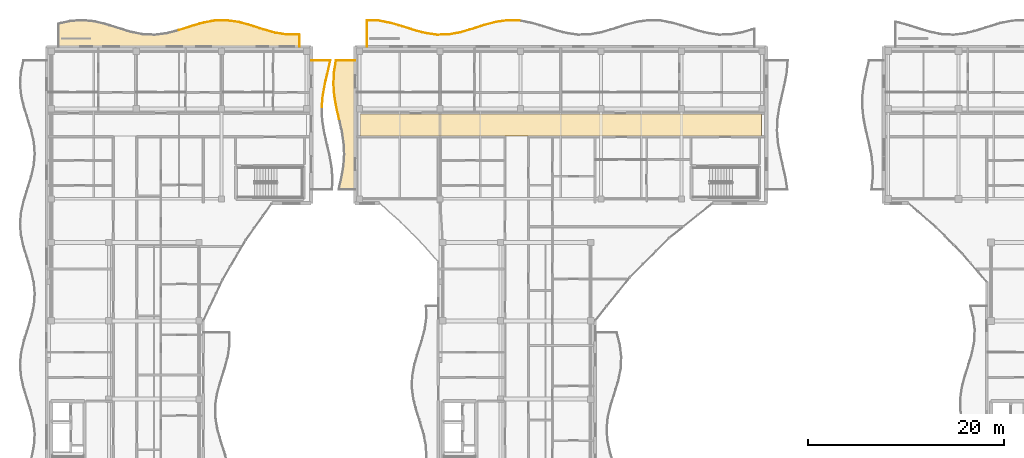
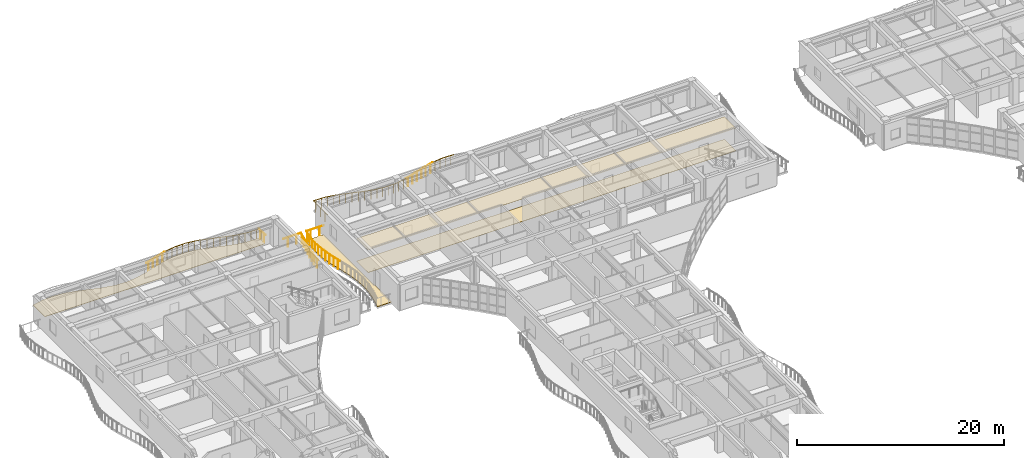
# One storey, part 115 of 128: 36 railings, 4 coverings.
"""IFC4 building model written with IfcOpenShell, lengths in metres."""

from ifc_helpers import new_model, si_unit, direction, frame, origin, origin_2d, place, context, subcontext, project, spatial, polyline, circle, outline, extrude, material, layer, layer_set, type_object, element, save


model = new_model("IFC4")

# Units and contexts
model_context = context("Model", 3, precision=1e-05, world=origin(), true_north=direction((0.0, 1.0)))
body_context = subcontext(model_context, "Body", "Model", "MODEL_VIEW")
ifc_project = project(units=[si_unit("LENGTHUNIT", "METRE"), si_unit("AREAUNIT", "SQUARE_METRE"), si_unit("VOLUMEUNIT", "CUBIC_METRE"), si_unit("PLANEANGLEUNIT", "RADIAN"), si_unit("MASSUNIT", "GRAM", prefix="KILO")], contexts=[model_context])

# Site, building, storey
site_placement = place(None, origin())
site = spatial("IfcSite", under=ifc_project, at=site_placement, CompositionType="ELEMENT")
building_placement = place(site_placement, origin())
building = spatial("IfcBuilding", under=site, at=building_placement, Name="Keldmere Railside Commons", CompositionType="ELEMENT")
storey_placement = place(building_placement, frame((0.0, 0.0, 4.159912109375)))
storey = spatial("IfcBuildingStorey", under=building, at=storey_placement, Name="L01", CompositionType="ELEMENT", Elevation=4.159912109375)

# Railings
ifc_material_1 = material(Name="Steel F-24 (S235)", Category="steel")
railing_type = type_object("IfcRailingType", Name="Balcony & Terrace Steel Balustrade 1100", PredefinedType="BALUSTRADE", material=ifc_material_1)
railing_1_placement = place(storey_placement, frame((21.5, 117.681396484375, 0.0)))
element("IfcRailing", 1, at=railing_1_placement, inside=storey, type_object=railing_type, Name="GR-1 GRD-L01-0018", PredefinedType="BALUSTRADE", context=body_context, shape_type="SweptSolid", body=[
    extrude(circle(Radius=0.02392578125, at=origin_2d()), frame((0.0, 0.0, 1.076171875), z_axis=(0.95193808508, 0.306290519237, 0.0), x_axis=(-0.306290519237, 0.95193808508, 0.0)), (0.0, 0.0, 1.0), 1.2919921875),
    extrude(circle(Radius=0.02099609375, at=origin_2d()), frame((0.3076171875, 0.098876953125, 0.0)), (0.0, 0.0, 1.0), 1.048095703125),
    extrude(circle(Radius=0.02099609375, at=origin_2d()), frame((0.92236328125, 0.296875, 0.0)), (0.0, 0.0, 1.0), 1.048095703125),
])
railing_2_placement = place(storey_placement, frame((22.72998046875, 118.0771484375, 0.0)))
element("IfcRailing", 2, at=railing_2_placement, inside=storey, type_object=railing_type, Name="GR-1 GRD-L01-0019", PredefinedType="BALUSTRADE", context=body_context, shape_type="SweptSolid", body=[
    extrude(circle(Radius=0.02392578125, at=origin_2d()), frame((0.0, 0.0, 1.076171875), z_axis=(0.959713604741, 0.280980064905, 0.0), x_axis=(-0.280980064905, 0.959713604741, 0.0)), (0.0, 0.0, 1.0), 1.281494140625),
    extrude(circle(Radius=0.02099609375, at=origin_2d()), frame((0.3076171875, 0.090087890625, 0.0)), (0.0, 0.0, 1.0), 1.048095703125),
    extrude(circle(Radius=0.02099609375, at=origin_2d()), frame((0.92236328125, 0.27001953125, 0.0)), (0.0, 0.0, 1.0), 1.048095703125),
])
railing_3_placement = place(storey_placement, frame((23.9599609375, 118.437255859375, 0.0)))
element("IfcRailing", 3, at=railing_3_placement, inside=storey, type_object=railing_type, Name="GR-1 GRD-L01-0020", PredefinedType="BALUSTRADE", context=body_context, shape_type="SweptSolid", body=[
    extrude(circle(Radius=0.02392578125, at=origin_2d()), frame((0.0, 0.0, 1.076171875), z_axis=(0.983938584246, 0.178507317587, 0.0), x_axis=(-0.178507317587, 0.983938584246, 0.0)), (0.0, 0.0, 1.0), 1.25),
    extrude(circle(Radius=0.02099609375, at=origin_2d()), frame((0.3076171875, 0.0556640625, 0.0)), (0.0, 0.0, 1.0), 1.048095703125),
    extrude(circle(Radius=0.02099609375, at=origin_2d()), frame((0.92236328125, 0.16748046875, 0.0)), (0.0, 0.0, 1.0), 1.048095703125),
])
railing_4_placement = place(storey_placement, frame((25.18994140625, 118.660400390625, 0.0)))
element("IfcRailing", 4, at=railing_4_placement, inside=storey, type_object=railing_type, Name="GR-1 GRD-L01-0021", PredefinedType="BALUSTRADE", context=body_context, shape_type="SweptSolid", body=[
    extrude(circle(Radius=0.02392578125, at=origin_2d()), frame((0.0, 0.0, 1.076171875), z_axis=(0.999822260035, 0.018853337575, 0.0), x_axis=(-0.018853337575, 0.999822260035, 0.0)), (0.0, 0.0, 1.0), 1.230224609375),
    extrude(circle(Radius=0.02099609375, at=origin_2d()), frame((0.3076171875, 0.005859375, 0.0)), (0.0, 0.0, 1.0), 1.048095703125),
    extrude(circle(Radius=0.02099609375, at=origin_2d()), frame((0.92236328125, 0.017333984375, 0.0)), (0.0, 0.0, 1.0), 1.048095703125),
])
railing_5_placement = place(storey_placement, frame((26.419921875, 118.68359375, 0.0)))
element("IfcRailing", 5, at=railing_5_placement, inside=storey, type_object=railing_type, Name="GR-1 GRD-L01-0022", PredefinedType="BALUSTRADE", context=body_context, shape_type="SweptSolid", body=[
    extrude(circle(Radius=0.02392578125, at=origin_2d()), frame((0.0, 0.0, 1.076171875), z_axis=(0.989099913862, -0.147245918102, 0.0), x_axis=(0.147245918102, 0.989099913862, 0.0)), (0.0, 0.0, 1.0), 1.24365234375),
    extrude(circle(Radius=0.02099609375, at=origin_2d()), frame((0.3076171875, -0.0458984375, 0.0)), (0.0, 0.0, 1.0), 1.048095703125),
    extrude(circle(Radius=0.02099609375, at=origin_2d()), frame((0.92236328125, -0.13720703125, 0.0)), (0.0, 0.0, 1.0), 1.048095703125),
])
railing_6_placement = place(storey_placement, frame((27.64990234375, 118.50048828125, 0.0)))
element("IfcRailing", 6, at=railing_6_placement, inside=storey, type_object=railing_type, Name="GR-1 GRD-L01-0023", PredefinedType="BALUSTRADE", context=body_context, shape_type="SweptSolid", body=[
    extrude(circle(Radius=0.02392578125, at=origin_2d()), frame((0.0, 0.0, 1.076171875), z_axis=(0.964325189833, -0.264720471921, 0.0), x_axis=(0.264720471921, 0.964325189833, 0.0)), (0.0, 0.0, 1.0), 1.275390625),
    extrude(circle(Radius=0.02099609375, at=origin_2d()), frame((0.3076171875, -0.08447265625, 0.0)), (0.0, 0.0, 1.0), 1.048095703125),
    extrude(circle(Radius=0.02099609375, at=origin_2d()), frame((0.92236328125, -0.253173828125, 0.0)), (0.0, 0.0, 1.0), 1.048095703125),
])
railing_7_placement = place(storey_placement, frame((28.8798828125, 118.162841796875, 0.0)))
element("IfcRailing", 7, at=railing_7_placement, inside=storey, type_object=railing_type, Name="GR-1 GRD-L01-0024", PredefinedType="BALUSTRADE", context=body_context, shape_type="SweptSolid", body=[
    extrude(circle(Radius=0.02392578125, at=origin_2d()), frame((0.0, 0.0, 1.076171875), z_axis=(0.951514436512, -0.307604091502, 0.0), x_axis=(0.307604091502, 0.951514436512, 0.0)), (0.0, 0.0, 1.0), 1.29296875),
    extrude(circle(Radius=0.02099609375, at=origin_2d()), frame((0.3076171875, -0.099365234375, 0.0)), (0.0, 0.0, 1.0), 1.048095703125),
    extrude(circle(Radius=0.02099609375, at=origin_2d()), frame((0.922607421875, -0.29833984375, 0.0)), (0.0, 0.0, 1.0), 1.048095703125),
])
railing_8_placement = place(storey_placement, frame((30.110107421875, 117.76513671875, 0.0)))
element("IfcRailing", 8, at=railing_8_placement, inside=storey, type_object=railing_type, Name="GR-1 GRD-L01-0025", PredefinedType="BALUSTRADE", context=body_context, shape_type="SweptSolid", body=[
    extrude(circle(Radius=0.02392578125, at=origin_2d()), frame((0.0, 0.0, 1.076171875), z_axis=(0.962747378739, -0.270402449566, 0.0), x_axis=(0.270402449566, 0.962747378739, 0.0)), (0.0, 0.0, 1.0), 1.277587890625),
    extrude(circle(Radius=0.02099609375, at=origin_2d()), frame((0.3076171875, -0.08642578125, 0.0)), (0.0, 0.0, 1.0), 1.048095703125),
    extrude(circle(Radius=0.02099609375, at=origin_2d()), frame((0.92236328125, -0.259033203125, 0.0)), (0.0, 0.0, 1.0), 1.048095703125),
])
railing_9_placement = place(storey_placement, frame((31.340087890625, 117.419677734375, 0.0)))
element("IfcRailing", 9, at=railing_9_placement, inside=storey, type_object=railing_type, Name="GR-1 GRD-L01-0026", PredefinedType="BALUSTRADE", context=body_context, shape_type="SweptSolid", body=[
    extrude(circle(Radius=0.02392578125, at=origin_2d()), frame((0.0, 0.0, 1.076171875), z_axis=(0.987443077964, -0.157975212552, 0.0), x_axis=(0.157975212552, 0.987443077964, 0.0)), (0.0, 0.0, 1.0), 1.24560546875),
    extrude(circle(Radius=0.02099609375, at=origin_2d()), frame((0.3076171875, -0.04931640625, 0.0)), (0.0, 0.0, 1.0), 1.048095703125),
    extrude(circle(Radius=0.02099609375, at=origin_2d()), frame((0.92236328125, -0.1474609375, 0.0)), (0.0, 0.0, 1.0), 1.048095703125),
])
railing_10_placement = place(storey_placement, frame((32.570068359375, 117.222900390625, 0.0)))
element("IfcRailing", 10, at=railing_10_placement, inside=storey, type_object=railing_type, Name="GR-1 GRD-L01-0027", PredefinedType="BALUSTRADE", context=body_context, shape_type="SweptSolid", body=[
    extrude(circle(Radius=0.02392578125, at=origin_2d()), frame((0.0, 0.0, 1.076171875), z_axis=(0.99997854801, 0.006550077825, 0.0), x_axis=(-0.006550077825, 0.99997854801, 0.0)), (0.0, 0.0, 1.0), 1.22998046875),
    extrude(circle(Radius=0.02099609375, at=origin_2d()), frame((0.3076171875, 0.001953125, 0.0)), (0.0, 0.0, 1.0), 1.048095703125),
    extrude(circle(Radius=0.02099609375, at=origin_2d()), frame((0.92236328125, 0.006103515625, 0.0)), (0.0, 0.0, 1.0), 1.048095703125),
])
railing_11_placement = place(storey_placement, frame((33.800048828125, 117.23095703125, 0.0)))
element("IfcRailing", 11, at=railing_11_placement, inside=storey, type_object=railing_type, Name="GR-1 GRD-L01-0028", PredefinedType="BALUSTRADE", context=body_context, shape_type="SweptSolid", body=[
    extrude(circle(Radius=0.02392578125, at=origin_2d()), frame((0.0, 0.0, 1.076171875), z_axis=(0.0, -1.0, 0.0), x_axis=(1.0, 0.0, 0.0)), (0.0, 0.0, 1.0), 1.23095703125),
    extrude(circle(Radius=0.02099609375, at=origin_2d()), frame((0.0, -0.3076171875, 0.0)), (0.0, 0.0, 1.0), 1.048095703125),
    extrude(circle(Radius=0.02099609375, at=origin_2d()), frame((0.0, -0.92333984375, 0.0)), (0.0, 0.0, 1.0), 1.048095703125),
])
railing_12_placement = place(storey_placement, frame((36.102783203125, 109.800048828125, 0.0)))
element("IfcRailing", 12, at=railing_12_placement, inside=storey, type_object=railing_type, Name="GR-1 GRD-L01-0113", PredefinedType="BALUSTRADE", context=body_context, shape_type="SweptSolid", body=[
    extrude(circle(Radius=0.02392578125, at=origin_2d()), frame((0.0, 0.0, 1.076171875), z_axis=(0.084337314557, 0.996437262136, 0.0), x_axis=(-0.996437262136, 0.084337314557, 0.0)), (0.0, 0.0, 1.0), 1.204345703125),
    extrude(circle(Radius=0.02099609375, at=origin_2d()), frame((0.025390625, 0.300048828125, 0.0)), (0.0, 0.0, 1.0), 1.048095703125),
    extrude(circle(Radius=0.02099609375, at=origin_2d()), frame((0.076171875, 0.89990234375, 0.0)), (0.0, 0.0, 1.0), 1.048095703125),
])
railing_13_placement = place(storey_placement, frame((36.204345703125, 111.0, 0.0)))
element("IfcRailing", 13, at=railing_13_placement, inside=storey, type_object=railing_type, Name="GR-1 GRD-L01-0114", PredefinedType="BALUSTRADE", context=body_context, shape_type="SweptSolid", body=[
    extrude(circle(Radius=0.02392578125, at=origin_2d()), frame((0.0, 0.0, 1.076171875), z_axis=(0.181086036306, 0.983467257948, 0.0), x_axis=(-0.983467257948, 0.181086036306, 0.0)), (0.0, 0.0, 1.0), 1.22021484375),
    extrude(circle(Radius=0.02099609375, at=origin_2d()), frame((0.05517578125, 0.300048828125, 0.0)), (0.0, 0.0, 1.0), 1.048095703125),
    extrude(circle(Radius=0.02099609375, at=origin_2d()), frame((0.165771484375, 0.89990234375, 0.0)), (0.0, 0.0, 1.0), 1.048095703125),
])
railing_14_placement = place(storey_placement, frame((36.42529296875, 112.199951171875, 0.0)))
element("IfcRailing", 14, at=railing_14_placement, inside=storey, type_object=railing_type, Name="GR-1 GRD-L01-0115", PredefinedType="BALUSTRADE", context=body_context, shape_type="SweptSolid", body=[
    extrude(circle(Radius=0.02392578125, at=origin_2d()), frame((0.0, 0.0, 1.076171875), z_axis=(0.22801233726, 0.973658242946, 0.0), x_axis=(-0.973658242946, 0.22801233726, 0.0)), (0.0, 0.0, 1.0), 1.232421875),
    extrude(circle(Radius=0.02099609375, at=origin_2d()), frame((0.0703125, 0.300048828125, 0.0)), (0.0, 0.0, 1.0), 1.048095703125),
    extrude(circle(Radius=0.02099609375, at=origin_2d()), frame((0.210693359375, 0.89990234375, 0.0)), (0.0, 0.0, 1.0), 1.048095703125),
])
railing_15_placement = place(storey_placement, frame((36.706298828125, 113.39990234375, 0.0)))
element("IfcRailing", 15, at=railing_15_placement, inside=storey, type_object=railing_type, Name="GR-1 GRD-L01-0116", PredefinedType="BALUSTRADE", context=body_context, shape_type="SweptSolid", body=[
    extrude(circle(Radius=0.02392578125, at=origin_2d()), frame((0.0, 0.0, 1.076171875), z_axis=(0.216467825479, 0.976289752344, 0.0), x_axis=(-0.976289752344, 0.216467825479, 0.0)), (0.0, 0.0, 1.0), 1.229248046875),
    extrude(circle(Radius=0.02099609375, at=origin_2d()), frame((0.06640625, 0.300048828125, 0.0)), (0.0, 0.0, 1.0), 1.048095703125),
    extrude(circle(Radius=0.02099609375, at=origin_2d()), frame((0.19970703125, 0.900146484375, 0.0)), (0.0, 0.0, 1.0), 1.048095703125),
])
railing_16_placement = place(storey_placement, frame((36.972412109375, 114.60009765625, 0.0)))
element("IfcRailing", 16, at=railing_16_placement, inside=storey, type_object=railing_type, Name="GR-1 GRD-L01-0117", PredefinedType="BALUSTRADE", context=body_context, shape_type="SweptSolid", body=[
    extrude(circle(Radius=0.02392578125, at=origin_2d()), frame((0.0, 0.0, 1.076171875), z_axis=(-1.0, 0.0, 0.0), x_axis=(0.0, -1.0, 0.0)), (0.0, 0.0, 1.0), 1.972412109375),
    extrude(circle(Radius=0.02099609375, at=origin_2d()), frame((-0.4931640625, 0.0, 0.0)), (0.0, 0.0, 1.0), 1.048095703125),
    extrude(circle(Radius=0.02099609375, at=origin_2d()), frame((-1.479248046875, 0.0, 0.0)), (0.0, 0.0, 1.0), 1.048095703125),
])
railing_17_placement = place(storey_placement, frame((40.699951171875, 116.0, 0.0)))
element("IfcRailing", 17, at=railing_17_placement, inside=storey, type_object=railing_type, Name="GR-1 GRD-L01-0790", PredefinedType="BALUSTRADE", context=body_context, shape_type="SweptSolid", body=[
    extrude(circle(Radius=0.02392578125, at=origin_2d()), frame((0.0, 0.0, 1.076171875), z_axis=(0.0, 1.0, 0.0), x_axis=(-1.0, 0.0, 0.0)), (0.0, 0.0, 1.0), 2.689208984375),
    extrude(circle(Radius=0.02099609375, at=origin_2d()), frame((0.0, 0.4482421875, 0.0)), (0.0, 0.0, 1.0), 1.048095703125),
    extrude(circle(Radius=0.02099609375, at=origin_2d()), frame((0.0, 1.3447265625, 0.0)), (0.0, 0.0, 1.0), 1.048095703125),
    extrude(circle(Radius=0.02099609375, at=origin_2d()), frame((0.0, 2.240966796875, 0.0)), (0.0, 0.0, 1.0), 1.048095703125),
])
railing_18_placement = place(storey_placement, frame((40.699951171875, 118.689208984375, 0.0)))
element("IfcRailing", 18, at=railing_18_placement, inside=storey, type_object=railing_type, Name="GR-1 GRD-L01-0791", PredefinedType="BALUSTRADE", context=body_context, shape_type="SweptSolid", body=[
    extrude(circle(Radius=0.02392578125, at=origin_2d()), frame((0.0, 0.0, 1.076171875), z_axis=(0.999565113837, -0.029488696136, 0.0), x_axis=(0.029488696136, 0.999565113837, 0.0)), (0.0, 0.0, 1.0), 1.200439453125),
    extrude(circle(Radius=0.02099609375, at=origin_2d()), frame((0.300048828125, -0.0087890625, 0.0)), (0.0, 0.0, 1.0), 1.048095703125),
    extrude(circle(Radius=0.02099609375, at=origin_2d()), frame((0.89990234375, -0.026611328125, 0.0)), (0.0, 0.0, 1.0), 1.048095703125),
])
railing_19_placement = place(storey_placement, frame((41.89990234375, 118.65380859375, 0.0)))
element("IfcRailing", 19, at=railing_19_placement, inside=storey, type_object=railing_type, Name="GR-1 GRD-L01-0792", PredefinedType="BALUSTRADE", context=body_context, shape_type="SweptSolid", body=[
    extrude(circle(Radius=0.02392578125, at=origin_2d()), frame((0.0, 0.0, 1.076171875), z_axis=(0.983043806748, -0.183370864684, 0.0), x_axis=(0.183370864684, 0.983043806748, 0.0)), (0.0, 0.0, 1.0), 1.220947265625),
    extrude(circle(Radius=0.02099609375, at=origin_2d()), frame((0.300048828125, -0.055908203125, 0.0)), (0.0, 0.0, 1.0), 1.048095703125),
    extrude(circle(Radius=0.02099609375, at=origin_2d()), frame((0.900146484375, -0.16796875, 0.0)), (0.0, 0.0, 1.0), 1.048095703125),
])
railing_20_placement = place(storey_placement, frame((43.10009765625, 118.429931640625, 0.0)))
element("IfcRailing", 20, at=railing_20_placement, inside=storey, type_object=railing_type, Name="GR-1 GRD-L01-0793", PredefinedType="BALUSTRADE", context=body_context, shape_type="SweptSolid", body=[
    extrude(circle(Radius=0.02392578125, at=origin_2d()), frame((0.0, 0.0, 1.076171875), z_axis=(0.959449386321, -0.281880959074, 0.0), x_axis=(0.281880959074, 0.959449386321, 0.0)), (0.0, 0.0, 1.0), 1.250732421875),
    extrude(circle(Radius=0.02099609375, at=origin_2d()), frame((0.300048828125, -0.088134765625, 0.0)), (0.0, 0.0, 1.0), 1.048095703125),
    extrude(circle(Radius=0.02099609375, at=origin_2d()), frame((0.89990234375, -0.264404296875, 0.0)), (0.0, 0.0, 1.0), 1.048095703125),
])
railing_21_placement = place(storey_placement, frame((44.300048828125, 118.077392578125, 0.0)))
element("IfcRailing", 21, at=railing_21_placement, inside=storey, type_object=railing_type, Name="GR-1 GRD-L01-0794", PredefinedType="BALUSTRADE", context=body_context, shape_type="SweptSolid", body=[
    extrude(circle(Radius=0.02392578125, at=origin_2d()), frame((0.0, 0.0, 1.076171875), z_axis=(0.951849064488, -0.30656705373, 0.0), x_axis=(0.30656705373, 0.951849064488, 0.0)), (0.0, 0.0, 1.0), 1.2607421875),
    extrude(circle(Radius=0.02099609375, at=origin_2d()), frame((0.300048828125, -0.0966796875, 0.0)), (0.0, 0.0, 1.0), 1.048095703125),
    extrude(circle(Radius=0.02099609375, at=origin_2d()), frame((0.89990234375, -0.289794921875, 0.0)), (0.0, 0.0, 1.0), 1.048095703125),
])
railing_22_placement = place(storey_placement, frame((45.5, 117.69091796875, 0.0)))
element("IfcRailing", 22, at=railing_22_placement, inside=storey, type_object=railing_type, Name="GR-1 GRD-L01-0795", PredefinedType="BALUSTRADE", context=body_context, shape_type="SweptSolid", body=[
    extrude(circle(Radius=0.02392578125, at=origin_2d()), frame((0.0, 0.0, 1.076171875), z_axis=(0.966803905805, -0.25551948599, 0.0), x_axis=(0.25551948599, 0.966803905805, 0.0)), (0.0, 0.0, 1.0), 1.2412109375),
    extrude(circle(Radius=0.02099609375, at=origin_2d()), frame((0.300048828125, -0.079345703125, 0.0)), (0.0, 0.0, 1.0), 1.048095703125),
    extrude(circle(Radius=0.02099609375, at=origin_2d()), frame((0.89990234375, -0.23779296875, 0.0)), (0.0, 0.0, 1.0), 1.048095703125),
])
railing_23_placement = place(storey_placement, frame((46.699951171875, 117.373779296875, 0.0)))
element("IfcRailing", 23, at=railing_23_placement, inside=storey, type_object=railing_type, Name="GR-1 GRD-L01-0796", PredefinedType="BALUSTRADE", context=body_context, shape_type="SweptSolid", body=[
    extrude(circle(Radius=0.02392578125, at=origin_2d()), frame((0.0, 0.0, 1.076171875), z_axis=(0.990917067819, -0.134474401675, 0.0), x_axis=(0.134474401675, 0.990917067819, 0.0)), (0.0, 0.0, 1.0), 1.2109375),
    extrude(circle(Radius=0.02099609375, at=origin_2d()), frame((0.300048828125, -0.040771484375, 0.0)), (0.0, 0.0, 1.0), 1.048095703125),
    extrude(circle(Radius=0.02099609375, at=origin_2d()), frame((0.89990234375, -0.1220703125, 0.0)), (0.0, 0.0, 1.0), 1.048095703125),
])
railing_24_placement = place(storey_placement, frame((47.89990234375, 117.2109375, 0.0)))
element("IfcRailing", 24, at=railing_24_placement, inside=storey, type_object=railing_type, Name="GR-1 GRD-L01-0797", PredefinedType="BALUSTRADE", context=body_context, shape_type="SweptSolid", body=[
    extrude(circle(Radius=0.02392578125, at=origin_2d()), frame((0.0, 0.0, 1.076171875), z_axis=(0.999571262104, 0.029279548768, 0.0), x_axis=(-0.029279548768, 0.999571262104, 0.0)), (0.0, 0.0, 1.0), 1.20068359375),
    extrude(circle(Radius=0.02099609375, at=origin_2d()), frame((0.300048828125, 0.0087890625, 0.0)), (0.0, 0.0, 1.0), 1.048095703125),
    extrude(circle(Radius=0.02099609375, at=origin_2d()), frame((0.900146484375, 0.0263671875, 0.0)), (0.0, 0.0, 1.0), 1.048095703125),
])
railing_25_placement = place(storey_placement, frame((49.10009765625, 117.24609375, 0.0)))
element("IfcRailing", 25, at=railing_25_placement, inside=storey, type_object=railing_type, Name="GR-1 GRD-L01-0798", PredefinedType="BALUSTRADE", context=body_context, shape_type="SweptSolid", body=[
    extrude(circle(Radius=0.02392578125, at=origin_2d()), frame((0.0, 0.0, 1.076171875), z_axis=(0.983001002662, 0.183600187272, 0.0), x_axis=(-0.183600187272, 0.983001002662, 0.0)), (0.0, 0.0, 1.0), 1.220703125),
    extrude(circle(Radius=0.02099609375, at=origin_2d()), frame((0.300048828125, 0.05615234375, 0.0)), (0.0, 0.0, 1.0), 1.048095703125),
    extrude(circle(Radius=0.02099609375, at=origin_2d()), frame((0.89990234375, 0.16796875, 0.0)), (0.0, 0.0, 1.0), 1.048095703125),
])
railing_26_placement = place(storey_placement, frame((50.300048828125, 117.47021484375, 0.0)))
element("IfcRailing", 26, at=railing_26_placement, inside=storey, type_object=railing_type, Name="GR-1 GRD-L01-0799", PredefinedType="BALUSTRADE", context=body_context, shape_type="SweptSolid", body=[
    extrude(circle(Radius=0.02392578125, at=origin_2d()), frame((0.0, 0.0, 1.076171875), z_axis=(0.959502166613, 0.281701246475, 0.0), x_axis=(-0.281701246475, 0.959502166613, 0.0)), (0.0, 0.0, 1.0), 1.25048828125),
    extrude(circle(Radius=0.02099609375, at=origin_2d()), frame((0.300048828125, 0.088134765625, 0.0)), (0.0, 0.0, 1.0), 1.048095703125),
    extrude(circle(Radius=0.02099609375, at=origin_2d()), frame((0.89990234375, 0.26416015625, 0.0)), (0.0, 0.0, 1.0), 1.048095703125),
])
railing_27_placement = place(storey_placement, frame((51.5, 117.822509765625, 0.0)))
element("IfcRailing", 27, at=railing_27_placement, inside=storey, type_object=railing_type, Name="GR-1 GRD-L01-0800", PredefinedType="BALUSTRADE", context=body_context, shape_type="SweptSolid", body=[
    extrude(circle(Radius=0.02392578125, at=origin_2d()), frame((0.0, 0.0, 1.076171875), z_axis=(0.951849064488, 0.30656705373, 0.0), x_axis=(-0.30656705373, 0.951849064488, 0.0)), (0.0, 0.0, 1.0), 1.2607421875),
    extrude(circle(Radius=0.02099609375, at=origin_2d()), frame((0.300048828125, 0.0966796875, 0.0)), (0.0, 0.0, 1.0), 1.048095703125),
    extrude(circle(Radius=0.02099609375, at=origin_2d()), frame((0.89990234375, 0.289794921875, 0.0)), (0.0, 0.0, 1.0), 1.048095703125),
])
railing_28_placement = place(storey_placement, frame((52.699951171875, 118.208984375, 0.0)))
element("IfcRailing", 28, at=railing_28_placement, inside=storey, type_object=railing_type, Name="GR-1 GRD-L01-0801", PredefinedType="BALUSTRADE", context=body_context, shape_type="SweptSolid", body=[
    extrude(circle(Radius=0.02392578125, at=origin_2d()), frame((0.0, 0.0, 1.076171875), z_axis=(0.966755297366, 0.255703333993, 0.0), x_axis=(-0.255703333993, 0.966755297366, 0.0)), (0.0, 0.0, 1.0), 1.2412109375),
    extrude(circle(Radius=0.02099609375, at=origin_2d()), frame((0.300048828125, 0.079345703125, 0.0)), (0.0, 0.0, 1.0), 1.048095703125),
    extrude(circle(Radius=0.02099609375, at=origin_2d()), frame((0.89990234375, 0.238037109375, 0.0)), (0.0, 0.0, 1.0), 1.048095703125),
])
railing_29_placement = place(storey_placement, frame((53.89990234375, 118.5263671875, 0.0)))
element("IfcRailing", 29, at=railing_29_placement, inside=storey, type_object=railing_type, Name="GR-1 GRD-L01-0802", PredefinedType="BALUSTRADE", context=body_context, shape_type="SweptSolid", body=[
    extrude(circle(Radius=0.02392578125, at=origin_2d()), frame((0.0, 0.0, 1.076171875), z_axis=(0.990920712528, 0.134447541753, 0.0), x_axis=(-0.134447541753, 0.990920712528, 0.0)), (0.0, 0.0, 1.0), 1.211181640625),
    extrude(circle(Radius=0.02099609375, at=origin_2d()), frame((0.300048828125, 0.040771484375, 0.0)), (0.0, 0.0, 1.0), 1.048095703125),
    extrude(circle(Radius=0.02099609375, at=origin_2d()), frame((0.900146484375, 0.1220703125, 0.0)), (0.0, 0.0, 1.0), 1.048095703125),
])
railing_30_placement = place(storey_placement, frame((55.10009765625, 118.689208984375, 0.0)))
element("IfcRailing", 30, at=railing_30_placement, inside=storey, type_object=railing_type, Name="GR-1 GRD-L01-0803", PredefinedType="BALUSTRADE", context=body_context, shape_type="SweptSolid", body=[
    extrude(circle(Radius=0.02392578125, at=origin_2d()), frame((0.0, 0.0, 1.076171875), z_axis=(0.999565113837, -0.029488696136, 0.0), x_axis=(0.029488696136, 0.999565113837, 0.0)), (0.0, 0.0, 1.0), 1.200439453125),
    extrude(circle(Radius=0.02099609375, at=origin_2d()), frame((0.300048828125, -0.0087890625, 0.0)), (0.0, 0.0, 1.0), 1.048095703125),
    extrude(circle(Radius=0.02099609375, at=origin_2d()), frame((0.89990234375, -0.026611328125, 0.0)), (0.0, 0.0, 1.0), 1.048095703125),
])
railing_31_placement = place(storey_placement, frame((37.872802734375, 108.60009765625, 0.0)))
element("IfcRailing", 31, at=railing_31_placement, inside=storey, type_object=railing_type, Name="GR-1 GRD-L01-0900", PredefinedType="BALUSTRADE", context=body_context, shape_type="SweptSolid", body=[
    extrude(circle(Radius=0.02392578125, at=origin_2d()), frame((0.0, 0.0, 1.076171875), z_axis=(-0.225568789936, 0.974227243002, 0.0), x_axis=(-0.974227243002, -0.225568789936, 0.0)), (0.0, 0.0, 1.0), 1.231689453125),
    extrude(circle(Radius=0.02099609375, at=origin_2d()), frame((-0.0693359375, 0.300048828125, 0.0)), (0.0, 0.0, 1.0), 1.048095703125),
    extrude(circle(Radius=0.02099609375, at=origin_2d()), frame((-0.20849609375, 0.89990234375, 0.0)), (0.0, 0.0, 1.0), 1.048095703125),
])
railing_32_placement = place(storey_placement, frame((37.594970703125, 109.800048828125, 0.0)))
element("IfcRailing", 32, at=railing_32_placement, inside=storey, type_object=railing_type, Name="GR-1 GRD-L01-0901", PredefinedType="BALUSTRADE", context=body_context, shape_type="SweptSolid", body=[
    extrude(circle(Radius=0.02392578125, at=origin_2d()), frame((0.0, 0.0, 1.076171875), z_axis=(-0.17196706336, 0.985102699783, 0.0), x_axis=(-0.985102699783, -0.17196706336, 0.0)), (0.0, 0.0, 1.0), 1.218017578125),
    extrude(circle(Radius=0.02099609375, at=origin_2d()), frame((-0.05224609375, 0.300048828125, 0.0)), (0.0, 0.0, 1.0), 1.048095703125),
    extrude(circle(Radius=0.02099609375, at=origin_2d()), frame((-0.1572265625, 0.89990234375, 0.0)), (0.0, 0.0, 1.0), 1.048095703125),
])
railing_33_placement = place(storey_placement, frame((37.385498046875, 111.0, 0.0)))
element("IfcRailing", 33, at=railing_33_placement, inside=storey, type_object=railing_type, Name="GR-1 GRD-L01-0902", PredefinedType="BALUSTRADE", context=body_context, shape_type="SweptSolid", body=[
    extrude(circle(Radius=0.02392578125, at=origin_2d()), frame((0.0, 0.0, 1.076171875), z_axis=(-0.070626851772, 0.997502805915, 0.0), x_axis=(-0.997502805915, -0.070626851772, 0.0)), (0.0, 0.0, 1.0), 1.202880859375),
    extrude(circle(Radius=0.02099609375, at=origin_2d()), frame((-0.021240234375, 0.300048828125, 0.0)), (0.0, 0.0, 1.0), 1.048095703125),
    extrude(circle(Radius=0.02099609375, at=origin_2d()), frame((-0.063720703125, 0.89990234375, 0.0)), (0.0, 0.0, 1.0), 1.048095703125),
])
railing_34_placement = place(storey_placement, frame((37.300537109375, 112.199951171875, 0.0)))
element("IfcRailing", 34, at=railing_34_placement, inside=storey, type_object=railing_type, Name="GR-1 GRD-L01-0903", PredefinedType="BALUSTRADE", context=body_context, shape_type="SweptSolid", body=[
    extrude(circle(Radius=0.02392578125, at=origin_2d()), frame((0.0, 0.0, 1.076171875), z_axis=(0.051812308094, 0.998656840326, 0.0), x_axis=(-0.998656840326, 0.051812308094, 0.0)), (0.0, 0.0, 1.0), 1.20166015625),
    extrude(circle(Radius=0.02099609375, at=origin_2d()), frame((0.015625, 0.300048828125, 0.0)), (0.0, 0.0, 1.0), 1.048095703125),
    extrude(circle(Radius=0.02099609375, at=origin_2d()), frame((0.046630859375, 0.89990234375, 0.0)), (0.0, 0.0, 1.0), 1.048095703125),
])
railing_35_placement = place(storey_placement, frame((37.36279296875, 113.39990234375, 0.0)))
element("IfcRailing", 35, at=railing_35_placement, inside=storey, type_object=railing_type, Name="GR-1 GRD-L01-0904", PredefinedType="BALUSTRADE", context=body_context, shape_type="SweptSolid", body=[
    extrude(circle(Radius=0.02392578125, at=origin_2d()), frame((0.0, 0.0, 1.076171875), z_axis=(0.158468316837, 0.987364062825, 0.0), x_axis=(-0.987364062825, 0.158468316837, 0.0)), (0.0, 0.0, 1.0), 1.215576171875),
    extrude(circle(Radius=0.02099609375, at=origin_2d()), frame((0.048095703125, 0.300048828125, 0.0)), (0.0, 0.0, 1.0), 1.048095703125),
    extrude(circle(Radius=0.02099609375, at=origin_2d()), frame((0.14453125, 0.900146484375, 0.0)), (0.0, 0.0, 1.0), 1.048095703125),
])
railing_36_placement = place(storey_placement, frame((37.555419921875, 114.60009765625, 0.0)))
element("IfcRailing", 36, at=railing_36_placement, inside=storey, type_object=railing_type, Name="GR-1 GRD-L01-0905", PredefinedType="BALUSTRADE", context=body_context, shape_type="SweptSolid", body=[
    extrude(circle(Radius=0.02392578125, at=origin_2d()), frame((0.0, 0.0, 1.076171875), z_axis=(1.0, 0.0, 0.0), x_axis=(0.0, 1.0, 0.0)), (0.0, 0.0, 1.0), 1.944580078125),
    extrude(circle(Radius=0.02099609375, at=origin_2d()), frame((0.486083984375, 0.0, 0.0)), (0.0, 0.0, 1.0), 1.048095703125),
    extrude(circle(Radius=0.02099609375, at=origin_2d()), frame((1.45849609375, 0.0, 0.0)), (0.0, 0.0, 1.0), 1.048095703125),
])

# Coverings
ifc_material_2 = material(Name="Polished Terrazzo Tile Flooring", Category="concrete")
ifc_layer_1 = layer(ifc_material_2, 0.030029296875, Name="Polished Terrazzo Floor Finish 30")
ifc_layer_set_1 = layer_set([ifc_layer_1], Name="Polished Terrazzo Tile Flooring")
covering_type_1 = type_object("IfcCoveringType", Name="Polished Terrazzo Floor Finish 30", PredefinedType="FLOORING", material=ifc_layer_set_1)
covering_1_placement = place(storey_placement, origin())
element("IfcCovering", 37, at=covering_1_placement, inside=storey, type_object=covering_type_1, Name="FLR-1 Corridor Terrazzo C-L01", PredefinedType="FLOORING", context=body_context, shape_type="SweptSolid", body=[
    extrude(outline(polyline([(39.97998046875, 106.8798828125), (81.02001953125, 106.8798828125), (81.02001953125, 109.1201171875), (39.97998046875, 109.1201171875), (39.97998046875, 106.8798828125)])), origin(), (0.0, 0.0, 1.0), 0.030029296875),
])
ifc_material_3 = material(Name="Acoustic Mineral-Fibre Gypsum Ceiling", Category="gypsum")
ifc_layer_2 = layer(ifc_material_3, 0.02490234375, Name="Suspended Acoustic Ceiling 25")
ifc_layer_set_2 = layer_set([ifc_layer_2], Name="Acoustic Mineral-Fibre Gypsum Ceiling")
covering_type_2 = type_object("IfcCoveringType", Name="Suspended Acoustic Ceiling 25", PredefinedType="CEILING", material=ifc_layer_set_2)
covering_2_placement = place(storey_placement, frame((0.0, 0.0, 2.6650390625)))
element("IfcCovering", 38, at=covering_2_placement, inside=storey, type_object=covering_type_2, Name="CLG-1 Corridor Ceiling C-L01", PredefinedType="CEILING", context=body_context, shape_type="SweptSolid", body=[
    extrude(outline(polyline([(39.97998046875, 106.8798828125), (81.02001953125, 106.8798828125), (81.02001953125, 109.1201171875), (39.97998046875, 109.1201171875), (39.97998046875, 106.8798828125)])), origin(), (0.0, 0.0, 1.0), 0.025146484375),
])
ifc_material_4 = material(Name="White Precast Concrete C35/45", Category="concrete")
ifc_layer_3 = layer(ifc_material_4, 0.044921875, Name="White Architectural Balcony Ribbon Cladding 45")
ifc_layer_set_3 = layer_set([ifc_layer_3], Name="White Precast Concrete C35/45")
covering_type_3 = type_object("IfcCoveringType", Name="White Architectural Balcony Ribbon Cladding 45", PredefinedType="FLOORING", material=ifc_layer_set_3)
covering_3_placement = place(storey_placement, origin())
element("IfcCovering", 39, at=covering_3_placement, inside=storey, type_object=covering_type_3, Name="CLG-WB D L01 N White Balcony Ribbon", PredefinedType="FLOORING", context=body_context, shape_type="SweptSolid", body=[
    extrude(outline(polyline([(33.760009765625, 116.0400390625), (33.760009765625, 117.190673828125), (32.5703125, 117.18310546875), (32.56689453125, 117.18310546875), (32.563720703125, 117.18359375), (31.333740234375, 117.380126953125), (31.3291015625, 117.381103515625), (30.09912109375, 117.726806640625), (30.09765625, 117.72705078125), (28.868408203125, 118.12451171875), (27.6416015625, 118.46142578125), (26.41748046875, 118.6435546875), (25.194091796875, 118.620361328125), (23.96923828125, 118.398193359375), (22.74169921875, 118.0390625), (21.51220703125, 117.643310546875), (21.510009765625, 117.642578125), (20.280029296875, 117.322509765625), (20.27490234375, 117.3212890625), (19.044921875, 117.166748046875), (19.04150390625, 117.16650390625), (19.0380859375, 117.16650390625), (17.80810546875, 117.220703125), (17.80517578125, 117.22119140625), (17.802001953125, 117.2216796875), (16.572021484375, 117.4697265625), (16.568359375, 117.470703125), (15.33837890625, 117.843017578125), (15.337890625, 117.843017578125), (14.109130859375, 118.234130859375), (12.88330078125, 118.533935546875), (11.6591796875, 118.658935546875), (10.435791015625, 118.57421875), (9.239990234375, 118.309814453125), (9.239990234375, 116.0400390625), (33.760009765625, 116.0400390625)])), origin(), (0.0, 0.0, 1.0), 0.045166015625),
])
covering_4_placement = place(storey_placement, origin())
element("IfcCovering", 40, at=covering_4_placement, inside=storey, type_object=covering_type_3, Name="CLG-WB C L01 WW White Balcony Ribbon", PredefinedType="FLOORING", context=body_context, shape_type="SweptSolid", body=[
    extrude(outline(polyline([(39.4599609375, 114.56005859375), (37.589599609375, 114.56005859375), (37.402587890625, 113.395751953125), (37.340576171875, 112.200439453125), (37.42529296875, 111.0048828125), (37.63427734375, 109.80810546875), (37.911865234375, 108.60888671875), (37.911865234375, 108.60888671875), (38.18359375, 107.40869140625), (38.18408203125, 107.40625), (38.376708984375, 106.206298828125), (38.377197265625, 106.2021484375), (38.439453125, 105.002197265625), (38.439453125, 104.997314453125), (38.3544921875, 103.797119140625), (38.35400390625, 103.793212890625), (38.144287109375, 102.593017578125), (38.14404296875, 102.591064453125), (37.87744140625, 101.43994140625), (39.4599609375, 101.43994140625), (39.4599609375, 114.56005859375)])), origin(), (0.0, 0.0, 1.0), 0.045166015625),
])

save(model, "model.ifc")
